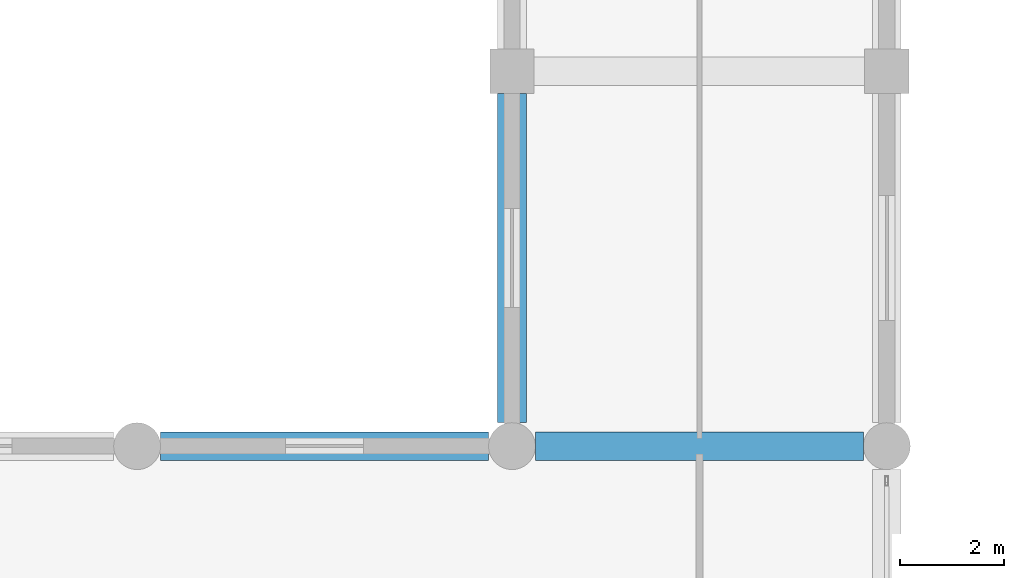
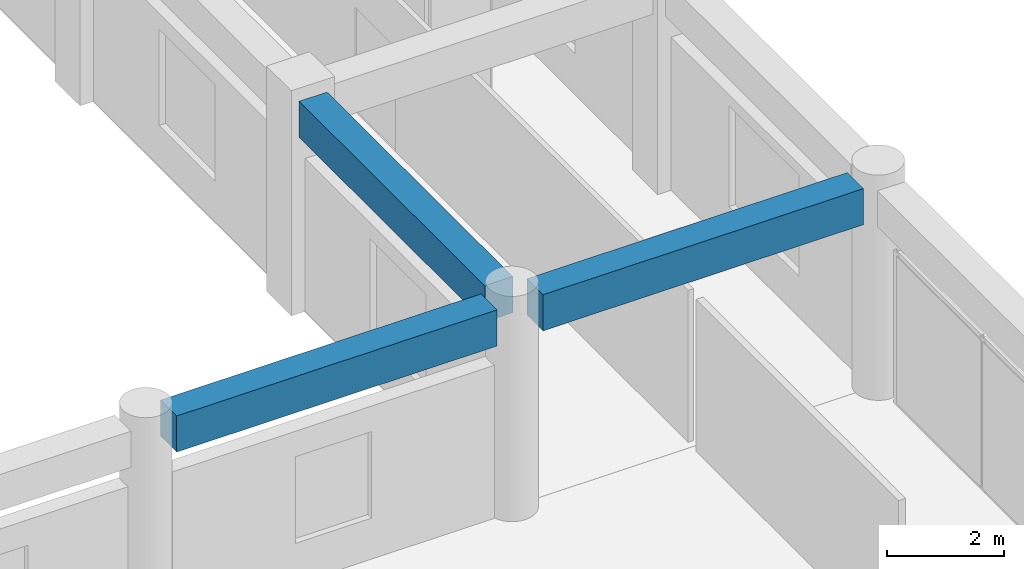
# One storey, part 26 of 54: 3 beams.
"""IFC4 building model written with IfcOpenShell, lengths in metres."""

from ifc_helpers import new_model, si_unit, direction, frame, origin, origin_2d, place, context, subcontext, project, spatial, rectangle, extrude, material, material_profile, profile_set, type_object, element, save


model = new_model("IFC4")

# Units and contexts
model_context = context("Model", 3, precision=1e-05, world=origin(), true_north=direction((0.0, 1.0)))
body_context = subcontext(model_context, "Body", "Model", "MODEL_VIEW")
ifc_project = project(units=[si_unit("LENGTHUNIT", "METRE"), si_unit("AREAUNIT", "SQUARE_METRE"), si_unit("VOLUMEUNIT", "CUBIC_METRE"), si_unit("PLANEANGLEUNIT", "RADIAN"), si_unit("MASSUNIT", "GRAM", prefix="KILO")], contexts=[model_context])

# Site, building, storey
site_placement = place(None, origin())
site = spatial("IfcSite", under=ifc_project, at=site_placement, CompositionType="ELEMENT")
building_placement = place(site_placement, origin())
building = spatial("IfcBuilding", under=site, at=building_placement, Name="Kazehaya Institute of Natural Sciences", CompositionType="ELEMENT")
storey_placement = place(building_placement, frame((0.0, 0.0, 10.43994140625)))
storey = spatial("IfcBuildingStorey", under=building, at=storey_placement, Name="L02", CompositionType="ELEMENT", Elevation=10.43994140625)

# Beams
ifc_material = material(Name="Concrete Fc36", Category="concrete")
ifc_material_profile = material_profile(ifc_material, rectangle(XDim=0.550048828125, YDim=0.75, at=origin_2d()), Name="RC-550x750")
ifc_profile_set = profile_set([ifc_material_profile], Name="Concrete Fc36")
beam_type = type_object("IfcBeamType", Name="BM-G-550x750", PredefinedType="BEAM", material=ifc_profile_set)
for number, where, z_axis, x_axis, name in (
    (1, (98.25, 64.39990234375, 4.03515625), (1.0, 0.0, 0.0), (0.0, 1.0, 0.0), "L02 primary X girder BMX-L02-978-644"),
    (2, (105.449951171875, 64.39990234375, 4.03515625), (1.0, 0.0, 0.0), (0.0, 1.0, 0.0), "L02 primary X girder BMX-L02-1050-644"),
):
    element("IfcBeam", number, at=place(storey_placement, frame(where, z_axis=z_axis, x_axis=x_axis)), inside=storey, type_object=beam_type, Name=name, PredefinedType="BEAM", context=body_context, shape_type="SweptSolid", body=[
        extrude(rectangle(XDim=0.550048828125, YDim=0.75, at=origin_2d()), origin(), (0.0, 0.0, 1.0), 6.300048828125),
    ])
beam_placement = place(storey_placement, frame((105.0, 64.85009765625, 4.03515625), z_axis=(0.0, 1.0, 0.0), x_axis=(-1.0, 0.0, 0.0)))
element("IfcBeam", 3, at=beam_placement, inside=storey, type_object=beam_type, Name="L02 primary Y girder BMY-L02-1050-644", PredefinedType="BEAM", context=body_context, shape_type="SweptSolid", body=[
    extrude(rectangle(XDim=0.550048828125, YDim=0.75, at=origin_2d()), origin(), (0.0, 0.0, 1.0), 6.324951171875),
])

save(model, "model.ifc")
